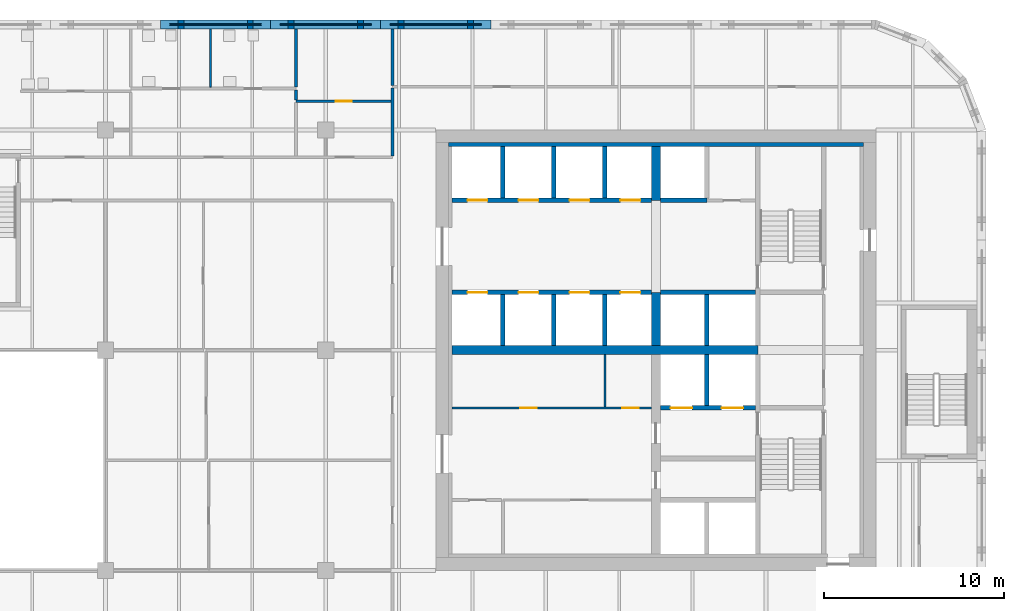
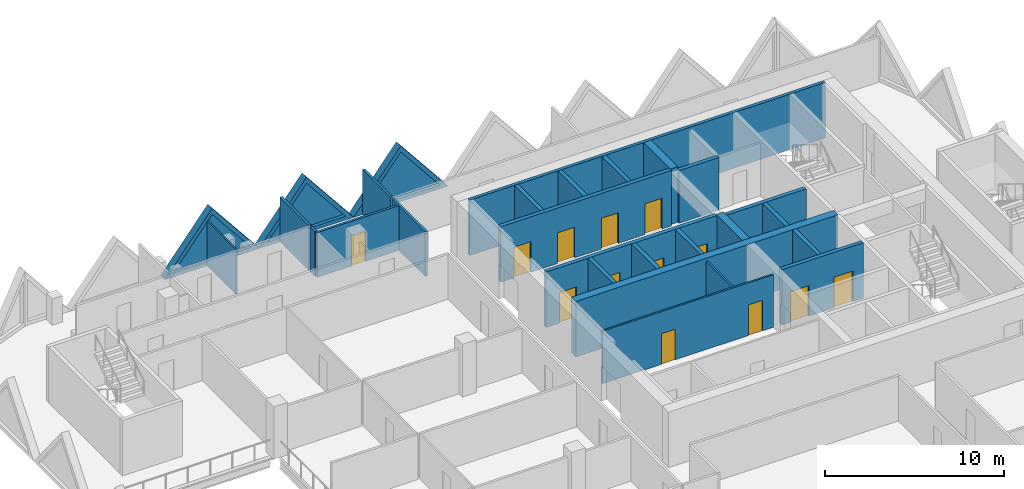
# One storey, part 9 of 17: 28 walls, 13 doors, 3 plates, 16 openings.
"""IFC4 building model written with IfcOpenShell, lengths in metres."""

import ifcopenshell
import ifcopenshell.guid

model = None  # the IFC model being written
_history = None  # IfcOwnerHistory: only IFC2X3 demands one
_inside = {}  # id of a spatial element -> (the spatial element, [elements in it])
_under = {}  # id of a project, library or spatial element -> (it, [spatial elements below it])
_declared = {}  # id of a project -> (the project, [libraries it declares])
_typed = {}  # id of a type object -> (the type object, [elements of that type])
_made_of = {}  # id of a material, layer set ... -> (it, [elements and type objects made of it])


def new_model(schema):
    """Start an empty IFC model of exactly this schema.

    Asked for "IFC4X3", IfcOpenShell would pick the latest addendum, in which some entities
    have other attributes; the version numbers below select the first issue.
    IFC2X3 requires an IfcOwnerHistory on every rooted entity: one is made here for all.
    """
    global model, _history
    if schema == "IFC4X3":
        model = ifcopenshell.file(schema_version=(4, 3, 0, 0))
    else:
        model = ifcopenshell.file(schema=schema)
    _inside.clear()
    _under.clear()
    _declared.clear()
    _typed.clear()
    _made_of.clear()
    _history = None
    if model.schema == "IFC2X3":
        org = make("IfcOrganization", Name="unknown")
        user = make(
            "IfcPersonAndOrganization",
            ThePerson=make("IfcPerson", FamilyName="unknown"),
            TheOrganization=org,
        )
        app = make(
            "IfcApplication",
            ApplicationDeveloper=org,
            Version="unknown",
            ApplicationFullName="unknown",
            ApplicationIdentifier="unknown",
        )
        _history = make(
            "IfcOwnerHistory",
            OwningUser=user,
            OwningApplication=app,
            ChangeAction="ADDED",
            CreationDate=0,
        )
    return model


def make(cls, **values):
    """One entity of the class cls with the attributes given. An attribute that is None is left unset."""
    return model.create_entity(
        cls, **{name: value for name, value in values.items() if value is not None}
    )


def rooted(cls, **values):
    """An entity with a GlobalId (a new one), such as an element, a storey or a relation."""
    return make(cls, GlobalId=ifcopenshell.guid.new(), OwnerHistory=_history, **values)


def si_unit(unit_type, name, prefix=None):
    """IfcSIUnit, for example si_unit("LENGTHUNIT", "METRE", prefix="MILLI")."""
    return make("IfcSIUnit", UnitType=unit_type, Prefix=prefix, Name=name)


def assignment(units):
    """IfcUnitAssignment: the units of a project."""
    return None if units is None else make("IfcUnitAssignment", Units=units)


def point(xyz):
    """IfcCartesianPoint."""
    return None if xyz is None else make("IfcCartesianPoint", Coordinates=xyz)


def direction(xyz):
    """IfcDirection."""
    return None if xyz is None else make("IfcDirection", DirectionRatios=xyz)


def frame(location, z_axis=None, x_axis=None):
    """IfcAxis2Placement3D, a coordinate frame: its origin and axes. An axis left out is left unset."""
    return make(
        "IfcAxis2Placement3D",
        Location=point(location),
        Axis=direction(z_axis),
        RefDirection=direction(x_axis),
    )


def frame_2d(location, x_axis=None):
    """IfcAxis2Placement2D, a coordinate frame in the plane: its origin and x axis."""
    return make(
        "IfcAxis2Placement2D", Location=point(location), RefDirection=direction(x_axis)
    )


def origin():
    """The frame at (0, 0, 0) with its axes left unset."""
    return frame((0.0, 0.0, 0.0))


def place(relative_to, where):
    """IfcLocalPlacement: puts the frame where relative to a parent placement (None: the world)."""
    return make(
        "IfcLocalPlacement", PlacementRelTo=relative_to, RelativePlacement=where
    )


def context(
    kind, dimensions, precision=None, world=None, true_north=None, identifier=None
):
    """IfcGeometricRepresentationContext, for example the 3D "Model" context."""
    return make(
        "IfcGeometricRepresentationContext",
        ContextIdentifier=identifier,
        ContextType=kind,
        CoordinateSpaceDimension=dimensions,
        Precision=precision,
        WorldCoordinateSystem=world,
        TrueNorth=true_north,
    )


def subcontext(parent, identifier, kind, view, scale=None):
    """IfcGeometricRepresentationSubContext, for example "Body" below "Model"."""
    return make(
        "IfcGeometricRepresentationSubContext",
        ContextIdentifier=identifier,
        ContextType=kind,
        ParentContext=parent,
        TargetScale=scale,
        TargetView=view,
    )


def project(units=None, contexts=None):
    """IfcProject with its units and contexts."""
    return rooted(
        "IfcProject",
        Name="project",
        RepresentationContexts=contexts,
        UnitsInContext=assignment(units),
    )


def spatial(cls, under=None, at=None, **own):
    """A site, building, storey or space (cls), placed at a placement, below another one or the project."""
    s = rooted(cls, ObjectPlacement=at, **own)
    if under is not None:
        _under.setdefault(under.id(), (under, []))[1].append(s)
    return s


def polyline(points):
    """IfcPolyline through the points."""
    return make("IfcPolyline", Points=[point(p) for p in points])


def profile(cls, at=None, kind="AREA", **sizes):
    """A parametric profile (cls). Its sizes go by their IFC names, for example OverallWidth=200.0."""
    return make(cls, ProfileType=kind, Position=at, **sizes)


def rectangle(**sizes):
    """IfcRectangleProfileDef."""
    return profile("IfcRectangleProfileDef", **sizes)


def outline(outer, holes=None, kind="AREA"):
    """IfcArbitraryClosedProfileDef: a profile drawn as a closed curve; with holes, ...WithVoids."""
    if holes is None:
        return make("IfcArbitraryClosedProfileDef", ProfileType=kind, OuterCurve=outer)
    return make(
        "IfcArbitraryProfileDefWithVoids",
        ProfileType=kind,
        OuterCurve=outer,
        InnerCurves=holes,
    )


def extrude(swept, where, along, depth):
    """IfcExtrudedAreaSolid: the profile swept, set in the frame where, extruded along a direction by depth."""
    return make(
        "IfcExtrudedAreaSolid",
        SweptArea=swept,
        Position=where,
        ExtrudedDirection=direction(along),
        Depth=depth,
    )


def faces_of(points, faces, orient=None, outer=None):
    """IfcFace entities. A face is a list of loops; a loop is a list of indices into points, from 0.

    orient and outer hold one flag for each loop. By default every Orientation is true, the
    first loop of a face is its IfcFaceOuterBound and the others are IfcFaceBound.
    """
    made = []
    for i, loops in enumerate(faces):
        bounds = []
        for j, loop in enumerate(loops):
            is_outer = j == 0 if outer is None else outer[i][j]
            bounds.append(
                make(
                    "IfcFaceOuterBound" if is_outer else "IfcFaceBound",
                    Bound=make("IfcPolyLoop", Polygon=[points[k] for k in loop]),
                    Orientation=True if orient is None else orient[i][j],
                )
            )
        made.append(make("IfcFace", Bounds=bounds))
    return made


def faceted_brep(points, faces, orient=None, outer=None, voids=None):
    """IfcFacetedBrep: a solid bounded by flat faces; with voids (closed shells), ...WithVoids."""
    shared = [point(p) for p in points]
    hull = make("IfcClosedShell", CfsFaces=faces_of(shared, faces, orient, outer))
    if voids is None:
        return make("IfcFacetedBrep", Outer=hull)
    return make(
        "IfcFacetedBrepWithVoids",
        Outer=hull,
        Voids=[
            make(cls, CfsFaces=faces_of(shared, fs, o, b)) for cls, fs, o, b in voids
        ],
    )


def shape(context_of_items, identifier, shape_type, items):
    """IfcShapeRepresentation: the items that make up one representation, for example the "Body"."""
    return make(
        "IfcShapeRepresentation",
        ContextOfItems=context_of_items,
        RepresentationIdentifier=identifier,
        RepresentationType=shape_type,
        Items=items,
    )


def source(mapping_origin, context_of_items, identifier, shape_type, items):
    """IfcRepresentationMap: a shape defined once, which mapped items show again and again."""
    return make(
        "IfcRepresentationMap",
        MappingOrigin=mapping_origin,
        MappedRepresentation=shape(context_of_items, identifier, shape_type, items),
    )


def transform(
    local_origin,
    x_axis=None,
    y_axis=None,
    z_axis=None,
    scale=None,
    scale2=None,
    scale3=None,
    uniform=True,
):
    """IfcCartesianTransformationOperator3D, or its non-uniform kind. x_axis, y_axis, z_axis: its Axis1, 2, 3."""
    if uniform:
        return make(
            "IfcCartesianTransformationOperator3D",
            Axis1=direction(x_axis),
            Axis2=direction(y_axis),
            LocalOrigin=point(local_origin),
            Scale=scale,
            Axis3=direction(z_axis),
        )
    return make(
        "IfcCartesianTransformationOperator3DnonUniform",
        Axis1=direction(x_axis),
        Axis2=direction(y_axis),
        LocalOrigin=point(local_origin),
        Scale=scale,
        Axis3=direction(z_axis),
        Scale2=scale2,
        Scale3=scale3,
    )


def mapped(mapping_source, mapping_target):
    """IfcMappedItem: shows the shape of a source again, moved by a transform."""
    return make(
        "IfcMappedItem", MappingSource=mapping_source, MappingTarget=mapping_target
    )


def material(Name=None, Category=None):
    """IfcMaterial."""
    return make("IfcMaterial", Name=Name, Category=Category)


def layer(
    of_material, thickness, ventilated=None, Name=None, Category=None, Priority=None
):
    """IfcMaterialLayer: one layer of a wall or slab, of a material (None: an air gap)."""
    return make(
        "IfcMaterialLayer",
        Material=of_material,
        LayerThickness=thickness,
        IsVentilated=ventilated,
        Name=Name,
        Category=Category,
        Priority=Priority,
    )


def layer_set(layers, Name=None):
    """IfcMaterialLayerSet."""
    return make("IfcMaterialLayerSet", MaterialLayers=layers, LayerSetName=Name)


def made_of(thing, what):
    """Note that an element or type object is made of a material, layer set ...; save() writes the relation."""
    if what is not None:
        _made_of.setdefault(what.id(), (what, []))[1].append(thing)
    return thing


def type_object(cls, material=None, **own):
    """A type object (cls), such as IfcWallType, which elements share."""
    return made_of(rooted(cls, **own), material)


def element(
    cls,
    number,
    at=None,
    inside=None,
    cuts=None,
    type_object=None,
    material=None,
    context=None,
    identifier="Body",
    shape_type=None,
    held_by="IfcProductDefinitionShape",
    body=None,
    shapes=None,
    **own,
):
    """One element of the class cls, such as IfcWall. Its Tag is "e" and its number.

    at: its placement. inside: the storey or other place that contains it. cuts: it is an
    opening in that element (IfcRelVoidsElement). A single representation is given by context,
    identifier, shape_type and body (its items); several are given by shapes. held_by: the class
    of the entity that holds the representations. save() writes the other relations.
    """
    e = rooted(cls, Tag="e%d" % number, ObjectPlacement=at, **own)
    if body is not None:
        shapes = [shape(context, identifier, shape_type, body)]
    if shapes is not None:
        e.Representation = make(held_by, Representations=shapes)
    if inside is not None:
        _inside.setdefault(inside.id(), (inside, []))[1].append(e)
    if cuts is not None:
        rooted(
            "IfcRelVoidsElement", RelatingBuildingElement=cuts, RelatedOpeningElement=e
        )
    if type_object is not None:
        _typed.setdefault(type_object.id(), (type_object, []))[1].append(e)
    return made_of(e, material)


def fill(opening, filler):
    """IfcRelFillsElement: the door or window that sits in an opening."""
    return rooted(
        "IfcRelFillsElement",
        RelatingOpeningElement=opening,
        RelatedBuildingElement=filler,
    )


def aggregate(whole, parts):
    """IfcRelAggregates: a whole, such as a stair, and the parts it consists of."""
    return rooted("IfcRelAggregates", RelatingObject=whole, RelatedObjects=parts)


def save(model, path):
    """Write the relations noted so far, then the file.

    IfcRelAggregates (storeys below a building ...), IfcRelContainedInSpatialStructure (elements
    in a storey), IfcRelDefinesByType, IfcRelAssociatesMaterial and IfcRelDeclares: one each for
    every whole, place, type object, material and project.
    """
    for whole, parts in _under.values():
        aggregate(whole, parts)
    for where, things in _inside.values():
        rooted(
            "IfcRelContainedInSpatialStructure",
            RelatedElements=things,
            RelatingStructure=where,
        )
    for kind, things in _typed.values():
        rooted("IfcRelDefinesByType", RelatedObjects=things, RelatingType=kind)
    for what, things in _made_of.values():
        rooted("IfcRelAssociatesMaterial", RelatedObjects=things, RelatingMaterial=what)
    for by, libraries in _declared.values():
        rooted("IfcRelDeclares", RelatingContext=by, RelatedDefinitions=libraries)
    model.write(path)


model = new_model("IFC4")

# Units and contexts
model_context = context("Model", 3, precision=1e-05, world=origin(), true_north=direction((0.0, 1.0)))
body_context = subcontext(model_context, "Body", "Model", "MODEL_VIEW")
ifc_project = project(units=[si_unit("LENGTHUNIT", "METRE"), si_unit("AREAUNIT", "SQUARE_METRE"), si_unit("VOLUMEUNIT", "CUBIC_METRE"), si_unit("PLANEANGLEUNIT", "RADIAN"), si_unit("MASSUNIT", "GRAM", prefix="KILO")], contexts=[model_context])

# Site, building, storey
site_placement = place(None, origin())
site = spatial("IfcSite", under=ifc_project, at=site_placement, CompositionType="ELEMENT")
building_placement = place(site_placement, origin())
building = spatial("IfcBuilding", under=site, at=building_placement, Name="Tessera Gate Towers", CompositionType="ELEMENT")
storey_placement = place(building_placement, frame((0.0, 0.0, 112.60009765625)))
storey = spatial("IfcBuildingStorey", under=building, at=storey_placement, Name="L27", CompositionType="ELEMENT", Elevation=112.60009765625)

# Wall, openings, doors
ifc_material_1 = material(Name="Concrete C40/50", Category="concrete")
ifc_layer_1 = layer(ifc_material_1, 0.25)
ifc_layer_set_1 = layer_set([ifc_layer_1], Name="CORE ENCLOSURE WALL 250")
wall_type_1 = type_object("IfcWallType", Name="CORE ENCLOSURE WALL 250", PredefinedType="SOLIDWALL", material=ifc_layer_set_1)
wall_1_placement = place(storey_placement, frame((31.39990234375, 39.800048828125, 0.0), z_axis=(0.0, 0.0, 1.0), x_axis=(1.0, 0.0, 0.0)))
wall_1 = element("IfcWall", 1, at=wall_1_placement, inside=storey, type_object=wall_type_1, Name="L27 shaft and stair enclosure wall", PredefinedType="SOLIDWALL", context=body_context, shape_type="SweptSolid", body=[
    extrude(rectangle(XDim=11.050048828125, YDim=0.25, at=frame_2d((5.52490234375, 0.0))), origin(), (0.0, 0.0, 1.0), 3.7998046875),
])
shared_shape_1 = source(origin(), body_context, "Body", "SweptSolid", [
    extrude(rectangle(XDim=1.10009765625, YDim=2.10009765625, at=frame_2d((0.550048828125, 1.050048828125))), frame((0.0, 0.135009765625, 0.0), z_axis=(0.0, -1.0, 0.0), x_axis=(1.0, 0.0, 0.0)), (0.0, 0.0, 1.0), 0.27001953125),
])
opening_1_placement = place(wall_1_placement, frame((0.862548828125, 0.0, 0.0)))
opening_1 = element("IfcOpeningElement", 2, at=opening_1_placement, cuts=wall_1, Name="Opening LD-HR1", PredefinedType="OPENING", context=body_context, shape_type="MappedRepresentation", body=[
    mapped(shared_shape_1, transform((0.0, 0.0, 0.0), scale=1.0)),
])
opening_2_placement = place(wall_1_placement, frame((3.6875, 0.0, 0.0)))
opening_2 = element("IfcOpeningElement", 3, at=opening_2_placement, cuts=wall_1, Name="Opening LD-HR2", PredefinedType="OPENING", context=body_context, shape_type="MappedRepresentation", body=[
    mapped(shared_shape_1, transform((0.0, 0.0, 0.0), scale=1.0)),
])
opening_3_placement = place(wall_1_placement, frame((6.512451171875, 0.0, 0.0)))
opening_3 = element("IfcOpeningElement", 4, at=opening_3_placement, cuts=wall_1, Name="Opening LD-HR3", PredefinedType="OPENING", context=body_context, shape_type="MappedRepresentation", body=[
    mapped(shared_shape_1, transform((0.0, 0.0, 0.0), scale=1.0)),
])
opening_4_placement = place(wall_1_placement, frame((9.33740234375, 0.0, 0.0)))
opening_4 = element("IfcOpeningElement", 5, at=opening_4_placement, cuts=wall_1, Name="Opening LD-HR4", PredefinedType="OPENING", context=body_context, shape_type="MappedRepresentation", body=[
    mapped(shared_shape_1, transform((0.0, 0.0, 0.0), scale=1.0)),
])
ifc_material_2 = material(Name="Stainless steel", Category="steel")
door_type_1 = type_object("IfcDoorType", Name="CORE DOOR LD 1100x2100", OperationType="DOUBLE_DOOR_SLIDING", PredefinedType="DOOR", material=ifc_material_2)
shared_shape_2 = source(origin(), body_context, "Body", "SweptSolid", [
    extrude(rectangle(XDim=1.10009765625, YDim=2.10009765625, at=frame_2d((0.550048828125, 1.050048828125))), frame((0.0, 0.02490234375, 0.0), z_axis=(0.0, -1.0, 0.0), x_axis=(1.0, 0.0, 0.0)), (0.0, 0.0, 1.0), 0.050048828125),
])
door_1_placement = place(opening_1_placement, origin())
door_1 = element("IfcDoor", 6, at=door_1_placement, inside=storey, type_object=door_type_1, Name="Landing door HR1 L27", OperationType="DOUBLE_DOOR_SLIDING", OverallHeight=2.10009765625, OverallWidth=1.10009765625, PredefinedType="DOOR", context=body_context, shape_type="MappedRepresentation", body=[
    mapped(shared_shape_2, transform((0.0, 0.0, 0.0), scale=1.0)),
])
fill(opening_1, door_1)
door_2_placement = place(opening_2_placement, origin())
door_2 = element("IfcDoor", 7, at=door_2_placement, inside=storey, type_object=door_type_1, Name="Landing door HR2 L27", OperationType="DOUBLE_DOOR_SLIDING", OverallHeight=2.10009765625, OverallWidth=1.10009765625, PredefinedType="DOOR", context=body_context, shape_type="MappedRepresentation", body=[
    mapped(shared_shape_2, transform((0.0, 0.0, 0.0), scale=1.0)),
])
fill(opening_2, door_2)
door_3_placement = place(opening_3_placement, origin())
door_3 = element("IfcDoor", 8, at=door_3_placement, inside=storey, type_object=door_type_1, Name="Landing door HR3 L27", OperationType="DOUBLE_DOOR_SLIDING", OverallHeight=2.10009765625, OverallWidth=1.10009765625, PredefinedType="DOOR", context=body_context, shape_type="MappedRepresentation", body=[
    mapped(shared_shape_2, transform((0.0, 0.0, 0.0), scale=1.0)),
])
fill(opening_3, door_3)
door_4_placement = place(opening_4_placement, origin())
door_4 = element("IfcDoor", 9, at=door_4_placement, inside=storey, type_object=door_type_1, Name="Landing door HR4 L27", OperationType="DOUBLE_DOOR_SLIDING", OverallHeight=2.10009765625, OverallWidth=1.10009765625, PredefinedType="DOOR", context=body_context, shape_type="MappedRepresentation", body=[
    mapped(shared_shape_2, transform((0.0, 0.0, 0.0), scale=1.0)),
])
fill(opening_4, door_4)

# Wall
wall_2_placement = place(storey_placement, frame((42.949951171875, 39.800048828125, 0.0), z_axis=(0.0, 0.0, 1.0), x_axis=(1.0, 0.0, 0.0)))
element("IfcWall", 10, at=wall_2_placement, inside=storey, type_object=wall_type_1, Name="L27 shaft and stair enclosure wall", PredefinedType="SOLIDWALL", context=body_context, shape_type="SweptSolid", body=[
    extrude(rectangle(XDim=5.275146484375, YDim=0.25, at=frame_2d((2.6376953125, 0.0))), origin(), (0.0, 0.0, 1.0), 3.599853515625),
])

# Wall, openings, doors
wall_3_placement = place(storey_placement, frame((42.449951171875, 44.89990234375, 0.0), z_axis=(0.0, 0.0, 1.0), x_axis=(-1.0, 0.0, 0.0)))
wall_3 = element("IfcWall", 11, at=wall_3_placement, inside=storey, type_object=wall_type_1, Name="L27 shaft and stair enclosure wall", PredefinedType="SOLIDWALL", context=body_context, shape_type="SweptSolid", body=[
    extrude(rectangle(XDim=11.050048828125, YDim=0.25, at=frame_2d((5.52490234375, 0.0))), origin(), (0.0, 0.0, 1.0), 3.7998046875),
])
opening_5_placement = place(wall_3_placement, frame((9.08740234375, 0.0, 0.0)))
opening_5 = element("IfcOpeningElement", 12, at=opening_5_placement, cuts=wall_3, Name="Opening LD-HR5", PredefinedType="OPENING", context=body_context, shape_type="MappedRepresentation", body=[
    mapped(shared_shape_1, transform((0.0, 0.0, 0.0), scale=1.0)),
])
opening_6_placement = place(wall_3_placement, frame((6.262451171875, 0.0, 0.0)))
opening_6 = element("IfcOpeningElement", 13, at=opening_6_placement, cuts=wall_3, Name="Opening LD-HR6", PredefinedType="OPENING", context=body_context, shape_type="MappedRepresentation", body=[
    mapped(shared_shape_1, transform((0.0, 0.0, 0.0), scale=1.0)),
])
opening_7_placement = place(wall_3_placement, frame((3.4375, 0.0, 0.0)))
opening_7 = element("IfcOpeningElement", 14, at=opening_7_placement, cuts=wall_3, Name="Opening LD-HR7", PredefinedType="OPENING", context=body_context, shape_type="MappedRepresentation", body=[
    mapped(shared_shape_1, transform((0.0, 0.0, 0.0), scale=1.0)),
])
opening_8_placement = place(wall_3_placement, frame((0.612548828125, 0.0, 0.0)))
opening_8 = element("IfcOpeningElement", 15, at=opening_8_placement, cuts=wall_3, Name="Opening LD-HR8", PredefinedType="OPENING", context=body_context, shape_type="MappedRepresentation", body=[
    mapped(shared_shape_1, transform((0.0, 0.0, 0.0), scale=1.0)),
])
door_5_placement = place(opening_5_placement, origin())
door_5 = element("IfcDoor", 16, at=door_5_placement, inside=storey, type_object=door_type_1, Name="Landing door HR5 L27", OperationType="DOUBLE_DOOR_SLIDING", OverallHeight=2.10009765625, OverallWidth=1.10009765625, PredefinedType="DOOR", context=body_context, shape_type="MappedRepresentation", body=[
    mapped(shared_shape_2, transform((0.0, 0.0, 0.0), scale=1.0)),
])
fill(opening_5, door_5)
door_6_placement = place(opening_6_placement, origin())
door_6 = element("IfcDoor", 17, at=door_6_placement, inside=storey, type_object=door_type_1, Name="Landing door HR6 L27", OperationType="DOUBLE_DOOR_SLIDING", OverallHeight=2.10009765625, OverallWidth=1.10009765625, PredefinedType="DOOR", context=body_context, shape_type="MappedRepresentation", body=[
    mapped(shared_shape_2, transform((0.0, 0.0, 0.0), scale=1.0)),
])
fill(opening_6, door_6)
door_7_placement = place(opening_7_placement, origin())
door_7 = element("IfcDoor", 18, at=door_7_placement, inside=storey, type_object=door_type_1, Name="Landing door HR7 L27", OperationType="DOUBLE_DOOR_SLIDING", OverallHeight=2.10009765625, OverallWidth=1.10009765625, PredefinedType="DOOR", context=body_context, shape_type="MappedRepresentation", body=[
    mapped(shared_shape_2, transform((0.0, 0.0, 0.0), scale=1.0)),
])
fill(opening_7, door_7)
door_8_placement = place(opening_8_placement, origin())
door_8 = element("IfcDoor", 19, at=door_8_placement, inside=storey, type_object=door_type_1, Name="Landing door HR8 L27", OperationType="DOUBLE_DOOR_SLIDING", OverallHeight=2.10009765625, OverallWidth=1.10009765625, PredefinedType="DOOR", context=body_context, shape_type="MappedRepresentation", body=[
    mapped(shared_shape_2, transform((0.0, 0.0, 0.0), scale=1.0)),
])
fill(opening_8, door_8)

# Wall
wall_4_placement = place(storey_placement, frame((42.949951171875, 44.89990234375, 0.0), z_axis=(0.0, 0.0, 1.0), x_axis=(1.0, 0.0, 0.0)))
element("IfcWall", 20, at=wall_4_placement, inside=storey, type_object=wall_type_1, Name="L27 shaft and stair enclosure wall", PredefinedType="SOLIDWALL", context=body_context, shape_type="SweptSolid", body=[
    extrude(rectangle(XDim=2.574951171875, YDim=0.25, at=frame_2d((1.28759765625, 0.0))), origin(), (0.0, 0.0, 1.0), 3.599853515625),
])

# Wall, openings, doors
wall_5_placement = place(storey_placement, frame((48.22509765625, 33.39990234375, 0.0), z_axis=(0.0, 0.0, 1.0), x_axis=(-1.0, 0.0, 0.0)))
wall_5 = element("IfcWall", 21, at=wall_5_placement, inside=storey, type_object=wall_type_1, Name="L27 shaft and stair enclosure wall", PredefinedType="SOLIDWALL", context=body_context, shape_type="SweptSolid", body=[
    extrude(rectangle(XDim=5.275146484375, YDim=0.25, at=frame_2d((2.6376953125, 0.0))), origin(), (0.0, 0.0, 1.0), 3.7998046875),
])
shared_shape_3 = source(origin(), body_context, "Body", "SweptSolid", [
    extrude(rectangle(XDim=1.199951171875, YDim=2.10009765625, at=frame_2d((0.60009765625, 1.050048828125))), frame((0.0, 0.135009765625, 0.0), z_axis=(0.0, -1.0, 0.0), x_axis=(1.0, 0.0, 0.0)), (0.0, 0.0, 1.0), 0.27001953125),
])
opening_9_placement = place(wall_5_placement, frame((3.512451171875, 0.0, 0.0)))
opening_9 = element("IfcOpeningElement", 22, at=opening_9_placement, cuts=wall_5, Name="Opening LD-FF1", PredefinedType="OPENING", context=body_context, shape_type="MappedRepresentation", body=[
    mapped(shared_shape_3, transform((0.0, 0.0, 0.0), scale=1.0)),
])
opening_10_placement = place(wall_5_placement, frame((0.6875, 0.0, 0.0)))
opening_10 = element("IfcOpeningElement", 23, at=opening_10_placement, cuts=wall_5, Name="Opening LD-FF2", PredefinedType="OPENING", context=body_context, shape_type="MappedRepresentation", body=[
    mapped(shared_shape_3, transform((0.0, 0.0, 0.0), scale=1.0)),
])
ifc_material_3 = material(Name="Stainless steel", Category="steel")
door_type_2 = type_object("IfcDoorType", Name="CORE DOOR LD1200 1200x2100", OperationType="DOUBLE_DOOR_SLIDING", PredefinedType="DOOR", material=ifc_material_3)
shared_shape_4 = source(origin(), body_context, "Body", "SweptSolid", [
    extrude(rectangle(XDim=1.199951171875, YDim=2.10009765625, at=frame_2d((0.60009765625, 1.050048828125))), frame((0.0, 0.02490234375, 0.0), z_axis=(0.0, -1.0, 0.0), x_axis=(1.0, 0.0, 0.0)), (0.0, 0.0, 1.0), 0.050048828125),
])
door_9_placement = place(opening_9_placement, origin())
door_9 = element("IfcDoor", 24, at=door_9_placement, inside=storey, type_object=door_type_2, Name="Landing door FF1 L27", OperationType="DOUBLE_DOOR_SLIDING", OverallHeight=2.10009765625, OverallWidth=1.199951171875, PredefinedType="DOOR", context=body_context, shape_type="MappedRepresentation", body=[
    mapped(shared_shape_4, transform((0.0, 0.0, 0.0), scale=1.0)),
])
fill(opening_9, door_9)
door_10_placement = place(opening_10_placement, origin())
door_10 = element("IfcDoor", 25, at=door_10_placement, inside=storey, type_object=door_type_2, Name="Landing door FF2 L27", OperationType="DOUBLE_DOOR_SLIDING", OverallHeight=2.10009765625, OverallWidth=1.199951171875, PredefinedType="DOOR", context=body_context, shape_type="MappedRepresentation", body=[
    mapped(shared_shape_4, transform((0.0, 0.0, 0.0), scale=1.0)),
])
fill(opening_10, door_10)

# Walls
wall_6_placement = place(storey_placement, frame((45.52490234375, 33.52490234375, 0.0), z_axis=(0.0, 0.0, 1.0), x_axis=(0.0, 1.0, 0.0)))
element("IfcWall", 26, at=wall_6_placement, inside=storey, type_object=wall_type_1, Name="L27 shaft and stair enclosure wall", PredefinedType="SOLIDWALL", context=body_context, shape_type="SweptSolid", body=[
    extrude(rectangle(XDim=2.8251953125, YDim=0.25, at=frame_2d((1.41259765625, 0.0))), origin(), (0.0, 0.0, 1.0), 3.7998046875),
])
wall_7_placement = place(storey_placement, frame((45.52490234375, 36.85009765625, 0.0), z_axis=(0.0, 0.0, 1.0), x_axis=(0.0, 1.0, 0.0)))
element("IfcWall", 27, at=wall_7_placement, inside=storey, type_object=wall_type_1, Name="L27 shaft and stair enclosure wall", PredefinedType="SOLIDWALL", context=body_context, shape_type="SweptSolid", body=[
    extrude(rectangle(XDim=2.824951171875, YDim=0.25, at=frame_2d((1.41259765625, 0.0))), origin(), (0.0, 0.0, 1.0), 3.599853515625),
])
for number, where, z_axis, x_axis, name in (
    (28, (34.22509765625, 36.85009765625, 0.0), (0.0, 0.0, 1.0), (0.0, 1.0, 0.0), "L27 shaft and stair enclosure wall"),
    (29, (37.050048828125, 36.85009765625, 0.0), (0.0, 0.0, 1.0), (0.0, 1.0, 0.0), "L27 shaft and stair enclosure wall"),
    (30, (39.875, 36.85009765625, 0.0), (0.0, 0.0, 1.0), (0.0, 1.0, 0.0), "L27 shaft and stair enclosure wall"),
):
    element("IfcWall", number, at=place(storey_placement, frame(where, z_axis=z_axis, x_axis=x_axis)), inside=storey, type_object=wall_type_1, Name=name, PredefinedType="SOLIDWALL", context=body_context, shape_type="SweptSolid", body=[
        extrude(rectangle(XDim=2.824951171875, YDim=0.25, at=frame_2d((1.41259765625, 0.0))), origin(), (0.0, 0.0, 1.0), 3.7998046875),
    ])
for number, where, z_axis, x_axis, name in (
    (31, (34.22509765625, 45.02490234375, 0.0), (0.0, 0.0, 1.0), (0.0, 1.0, 0.0), "L27 shaft and stair enclosure wall"),
    (32, (37.050048828125, 45.02490234375, 0.0), (0.0, 0.0, 1.0), (0.0, 1.0, 0.0), "L27 shaft and stair enclosure wall"),
    (33, (39.875, 45.02490234375, 0.0), (0.0, 0.0, 1.0), (0.0, 1.0, 0.0), "L27 shaft and stair enclosure wall"),
):
    element("IfcWall", number, at=place(storey_placement, frame(where, z_axis=z_axis, x_axis=x_axis)), inside=storey, type_object=wall_type_1, Name=name, PredefinedType="SOLIDWALL", context=body_context, shape_type="SweptSolid", body=[
        extrude(rectangle(XDim=2.875, YDim=0.25, at=frame_2d((1.4375, 0.0))), origin(), (0.0, 0.0, 1.0), 3.7998046875),
    ])

# Wall, openings, doors
ifc_material_4 = material(Name="Gypsum board on steel studs", Category="steel")
ifc_layer_2 = layer(ifc_material_4, 0.1201171875)
ifc_layer_set_2 = layer_set([ifc_layer_2], Name="CORE PARTITION 120")
wall_type_2 = type_object("IfcWallType", Name="CORE PARTITION 120", PredefinedType="PARTITIONING", material=ifc_layer_set_2)
wall_8_placement = place(storey_placement, frame((31.39990234375, 33.39990234375, 0.0), z_axis=(0.0, 0.0, 1.0), x_axis=(1.0, 0.0, 0.0)))
wall_8 = element("IfcWall", 34, at=wall_8_placement, inside=storey, type_object=wall_type_2, Name="L27 core partition", PredefinedType="PARTITIONING", context=body_context, shape_type="SweptSolid", body=[
    extrude(rectangle(XDim=11.050048828125, YDim=0.1201171875, at=frame_2d((5.52490234375, 0.0))), origin(), (0.0, 0.0, 1.0), 3.599853515625),
])
shared_shape_5 = source(origin(), body_context, "Body", "SweptSolid", [
    extrude(rectangle(XDim=0.89990234375, YDim=2.10009765625, at=frame_2d((0.449951171875, 1.050048828125))), frame((0.0, 0.070068359375, 0.0), z_axis=(0.0, -1.0, 0.0), x_axis=(1.0, 0.0, 0.0)), (0.0, 0.0, 1.0), 0.14013671875),
])
opening_11_placement = place(wall_8_placement, frame((3.78759765625, 0.0, 0.0)))
opening_11 = element("IfcOpeningElement", 35, at=opening_11_placement, cuts=wall_8, Name="Opening RD-T1-19-07", PredefinedType="OPENING", context=body_context, shape_type="MappedRepresentation", body=[
    mapped(shared_shape_5, transform((0.0, 0.0, 0.0), scale=1.0)),
])
opening_12_placement = place(wall_8_placement, frame((9.4375, 0.0, 0.0)))
opening_12 = element("IfcOpeningElement", 36, at=opening_12_placement, cuts=wall_8, Name="Opening RD-T1-19-08", PredefinedType="OPENING", context=body_context, shape_type="MappedRepresentation", body=[
    mapped(shared_shape_5, transform((0.0, 0.0, 0.0), scale=1.0)),
])
ifc_material_5 = material(Name="Hollow steel fire door", Category="steel")
door_type_3 = type_object("IfcDoorType", Name="CORE DOOR RD 900x2100", OperationType="NOTDEFINED", PredefinedType="DOOR", material=ifc_material_5)
shared_shape_6 = source(origin(), body_context, "Body", "SweptSolid", [
    extrude(rectangle(XDim=0.89990234375, YDim=2.10009765625, at=frame_2d((0.449951171875, 1.050048828125))), frame((0.0, 0.02490234375, 0.0), z_axis=(0.0, -1.0, 0.0), x_axis=(1.0, 0.0, 0.0)), (0.0, 0.0, 1.0), 0.050048828125),
])
door_11_placement = place(opening_11_placement, origin())
door_11 = element("IfcDoor", 37, at=door_11_placement, inside=storey, type_object=door_type_3, Name="Core room door", OperationType="SINGLE_SWING_LEFT", OverallHeight=2.10009765625, OverallWidth=0.89990234375, PredefinedType="DOOR", context=body_context, shape_type="MappedRepresentation", body=[
    mapped(shared_shape_6, transform((0.0, 0.0, 0.0), scale=1.0)),
])
fill(opening_11, door_11)
door_12_placement = place(opening_12_placement, origin())
door_12 = element("IfcDoor", 38, at=door_12_placement, inside=storey, type_object=door_type_3, Name="Core room door", OperationType="SINGLE_SWING_RIGHT", OverallHeight=2.10009765625, OverallWidth=0.89990234375, PredefinedType="DOOR", context=body_context, shape_type="MappedRepresentation", body=[
    mapped(shared_shape_6, transform((0.0, 0.0, 0.0), scale=1.0)),
])
fill(opening_12, door_12)

# Walls
wall_9_placement = place(storey_placement, frame((39.875, 33.4599609375, 0.0), z_axis=(0.0, 0.0, 1.0), x_axis=(0.0, 1.0, 0.0)))
element("IfcWall", 39, at=wall_9_placement, inside=storey, type_object=wall_type_2, Name="L27 core partition", PredefinedType="PARTITIONING", context=body_context, shape_type="SweptSolid", body=[
    extrude(rectangle(XDim=2.89013671875, YDim=0.1201171875, at=frame_2d((1.445068359375, 0.0))), origin(), (0.0, 0.0, 1.0), 3.599853515625),
])
ifc_material_6 = material(Name="Concrete C60/75", Category="concrete")
ifc_layer_3 = layer(ifc_material_6, 0.5)
ifc_layer_set_3 = layer_set([ifc_layer_3], Name="CORE SPINE WALL 500 C60/75")
wall_type_3 = type_object("IfcWallType", Name="CORE SPINE WALL 500 C60/75", PredefinedType="SHEAR", material=ifc_layer_set_3)
wall_10_placement = place(storey_placement, frame((31.39990234375, 36.60009765625, 0.0), z_axis=(0.0, 0.0, 1.0), x_axis=(1.0, 0.0, 0.0)))
element("IfcWall", 40, at=wall_10_placement, inside=storey, type_object=wall_type_3, Name="Core wall spine L27", PredefinedType="SHEAR", context=body_context, shape_type="SweptSolid", body=[
    extrude(rectangle(XDim=16.9501953125, YDim=0.5, at=frame_2d((8.47509765625, 0.0))), origin(), (0.0, 0.0, 1.0), 3.7998046875),
])
wall_11_placement = place(storey_placement, frame((42.699951171875, 36.85009765625, 0.0), z_axis=(0.0, 0.0, 1.0), x_axis=(0.0, 1.0, 0.0)))
element("IfcWall", 41, at=wall_11_placement, inside=storey, type_object=wall_type_3, Name="Core wall spine L27", PredefinedType="SHEAR", context=body_context, shape_type="SweptSolid", body=[
    extrude(rectangle(XDim=2.949951171875, YDim=0.5, at=frame_2d((1.47509765625, 0.0))), origin(), (0.0, 0.0, 1.0), 3.7998046875),
])
wall_12_placement = place(storey_placement, frame((42.699951171875, 44.89990234375, 0.0), z_axis=(0.0, 0.0, 1.0), x_axis=(0.0, 1.0, 0.0)))
element("IfcWall", 42, at=wall_12_placement, inside=storey, type_object=wall_type_3, Name="Core wall spine L27", PredefinedType="SHEAR", context=body_context, shape_type="SweptSolid", body=[
    extrude(rectangle(XDim=3.0, YDim=0.5, at=frame_2d((1.5, 0.0))), origin(), (0.0, 0.0, 1.0), 3.7998046875),
])
ifc_material_7 = material(Name="Concrete C60/75", Category="concrete")
ifc_layer_4 = layer(ifc_material_7, 0.199951171875)
ifc_layer_set_4 = layer_set([ifc_layer_4], Name="CORE WALL THICKENING 200")
wall_type_4 = type_object("IfcWallType", Name="CORE WALL THICKENING 200", PredefinedType="SOLIDWALL", material=ifc_layer_set_4)
wall_13_placement = place(storey_placement, frame((31.199951171875, 48.0, 0.0), z_axis=(0.0, 0.0, 1.0), x_axis=(1.0, 0.0, 0.0)))
element("IfcWall", 43, at=wall_13_placement, inside=storey, type_object=wall_type_4, Name="Core wall thickening N L27", PredefinedType="SOLIDWALL", context=body_context, shape_type="SweptSolid", body=[
    extrude(rectangle(XDim=23.0, YDim=0.199951171875, at=frame_2d((11.5, 0.0))), origin(), (0.0, 0.0, 1.0), 3.7998046875),
])
ifc_material_8 = material(Name="Gypsum board on steel studs, mineral wool", Category="steel")
ifc_layer_5 = layer(ifc_material_8, 0.14990234375)
ifc_layer_set_5 = layer_set([ifc_layer_5], Name="CORRIDOR WALL 150")
wall_type_5 = type_object("IfcWallType", Name="CORRIDOR WALL 150", PredefinedType="PARTITIONING", material=ifc_layer_set_5)
wall_14_placement = place(storey_placement, frame((28.10009765625, 47.3759765625, 0.0), z_axis=(0.0, 0.0, 1.0), x_axis=(0.0, 1.0, 0.0)))
element("IfcWall", 44, at=wall_14_placement, inside=storey, type_object=wall_type_5, Name="T1-L27-PW-045", PredefinedType="PARTITIONING", context=body_context, shape_type="SweptSolid", body=[
    extrude(rectangle(XDim=3.748046875, YDim=0.14990234375, at=frame_2d((1.8740234375, 0.0))), origin(), (0.0, 0.0, 1.0), 3.06689453125),
])
ifc_material_9 = material(Name="Gypsum board on steel studs", Category="steel")
ifc_layer_6 = layer(ifc_material_9, 0.10009765625)
ifc_layer_set_6 = layer_set([ifc_layer_6], Name="PARTITION 100")
wall_type_6 = type_object("IfcWallType", Name="PARTITION 100", PredefinedType="PARTITIONING", material=ifc_layer_set_6)
wall_15_placement = place(storey_placement, frame((18.02001953125, 51.176025390625, 0.0), z_axis=(0.0, 0.0, 1.0), x_axis=(0.0, 1.0, 0.0)))
element("IfcWall", 45, at=wall_15_placement, inside=storey, type_object=wall_type_6, Name="T1-L27-PW-053", PredefinedType="PARTITIONING", context=body_context, shape_type="SweptSolid", body=[
    extrude(rectangle(XDim=3.223876953125, YDim=0.10009765625, at=frame_2d((1.61181640625, 0.0))), origin(), (0.0, 0.0, 1.0), 3.06689453125),
])

# Wall, opening, door
ifc_material_10 = material(Name="Gypsum board on steel studs, mineral wool", Category="steel")
ifc_layer_7 = layer(ifc_material_10, 0.14990234375)
ifc_layer_set_7 = layer_set([ifc_layer_7], Name="TENANCY WALL 150")
wall_type_7 = type_object("IfcWallType", Name="TENANCY WALL 150", PredefinedType="PARTITIONING", material=ifc_layer_set_7)
wall_16_placement = place(storey_placement, frame((22.75, 50.39990234375, 0.0), z_axis=(0.0, 0.0, 1.0), x_axis=(1.0, 0.0, 0.0)))
wall_16 = element("IfcWall", 46, at=wall_16_placement, inside=storey, type_object=wall_type_7, Name="T1-L27-PW-048", PredefinedType="PARTITIONING", context=body_context, shape_type="SweptSolid", body=[
    extrude(rectangle(XDim=5.27392578125, YDim=0.14990234375, at=frame_2d((2.636962890625, 0.0))), origin(), (0.0, 0.0, 1.0), 3.06689453125),
])
shared_shape_7 = source(origin(), body_context, "Body", "SweptSolid", [
    extrude(rectangle(XDim=0.89990234375, YDim=2.10009765625, at=frame_2d((0.449951171875, 1.050048828125))), frame((0.0, 0.0849609375, 0.0), z_axis=(0.0, -1.0, 0.0), x_axis=(1.0, 0.0, 0.0)), (0.0, 0.0, 1.0), 0.169921875),
])
opening_13_placement = place(wall_16_placement, frame((2.199951171875, 0.0, 0.0)))
opening_13 = element("IfcOpeningElement", 47, at=opening_13_placement, cuts=wall_16, Name="Opening D190-A10-04", PredefinedType="OPENING", context=body_context, shape_type="MappedRepresentation", body=[
    mapped(shared_shape_7, transform((0.0, 0.0, 0.0), scale=1.0)),
])
ifc_material_11 = material(Name="Timber door leaf in steel frame", Category="steel")
door_type_4 = type_object("IfcDoorType", Name="INTERNAL DOOR 900 NOT RATED", OperationType="NOTDEFINED", PredefinedType="DOOR", material=ifc_material_11)
door_13_placement = place(opening_13_placement, origin())
door_13 = element("IfcDoor", 48, at=door_13_placement, inside=storey, type_object=door_type_4, Name="T1-L27-PD-006", OperationType="SINGLE_SWING_LEFT", OverallHeight=2.10009765625, OverallWidth=0.89990234375, PredefinedType="DOOR", context=body_context, shape_type="MappedRepresentation", body=[
    mapped(shared_shape_6, transform((0.0, 0.0, 0.0), scale=1.0)),
])
fill(opening_13, door_13)

# Walls
wall_17_placement = place(storey_placement, frame((22.75, 50.47607421875, 0.0), z_axis=(0.0, 0.0, 1.0), x_axis=(0.0, 1.0, 0.0)))
element("IfcWall", 49, at=wall_17_placement, inside=storey, type_object=wall_type_7, Name="T1-L27-PW-049", PredefinedType="PARTITIONING", context=body_context, shape_type="SweptSolid", body=[
    extrude(rectangle(XDim=0.5478515625, YDim=0.14990234375, at=frame_2d((0.27392578125, 0.0))), origin(), (0.0, 0.0, 1.0), 3.06689453125),
])
wall_18_placement = place(storey_placement, frame((22.75, 51.176025390625, 0.0), z_axis=(0.0, 0.0, 1.0), x_axis=(0.0, 1.0, 0.0)))
element("IfcWall", 50, at=wall_18_placement, inside=storey, type_object=wall_type_7, Name="T1-L27-PW-054", PredefinedType="PARTITIONING", context=body_context, shape_type="SweptSolid", body=[
    extrude(rectangle(XDim=3.223876953125, YDim=0.14990234375, at=frame_2d((1.61181640625, 0.0))), origin(), (0.0, 0.0, 1.0), 3.06689453125),
])
wall_19_placement = place(storey_placement, frame((28.10009765625, 51.27587890625, 0.0), z_axis=(0.0, 0.0, 1.0), x_axis=(0.0, 1.0, 0.0)))
element("IfcWall", 51, at=wall_19_placement, inside=storey, type_object=wall_type_7, Name="T1-L27-PW-056", PredefinedType="PARTITIONING", context=body_context, shape_type="SweptSolid", body=[
    extrude(rectangle(XDim=3.1240234375, YDim=0.14990234375, at=frame_2d((1.56201171875, 0.0))), origin(), (0.0, 0.0, 1.0), 3.06689453125),
])

# Wall, opening, plate
ifc_material_12 = material(Name="Precast concrete C60/75 white", Category="concrete")
ifc_layer_8 = layer(ifc_material_12, 0.5)
ifc_layer_set_8 = layer_set([ifc_layer_8], Name="TS2 half tessera")
wall_type_8 = type_object("IfcWallType", Name="TS2 half tessera", PredefinedType="SOLIDWALL", material=ifc_layer_set_8)
shared_shape_8 = source(origin(), body_context, "Body", "Brep", [
    faceted_brep([(6.099853515625, -0.25, 0.000244140625), (3.050048828125, -0.25, 3.7998046875), (0.0, -0.25, 0.0), (6.099853515625, -0.25, 0.0), (0.0, 0.25, 0.0), (3.050048828125, 0.25, 3.7998046875), (6.099853515625, 0.25, 0.000244140625), (6.099853515625, 0.25, 0.0)], [[[0, 1, 2, 3]], [[4, 5, 6, 7]], [[6, 5, 1, 0]], [[5, 4, 2, 1]], [[4, 7, 3, 2]], [[3, 7, 6, 0]]]),
])
wall_20_placement = place(storey_placement, frame((27.449951171875, 54.64990234375, 0.0), z_axis=(0.0, 0.0, 1.0), x_axis=(-1.0, 0.0, 0.0)))
wall_20 = element("IfcWall", 52, at=wall_20_placement, inside=storey, type_object=wall_type_8, Name="Precast half tessera T1 TS2-0152", PredefinedType="SOLIDWALL", context=body_context, shape_type="MappedRepresentation", body=[
    mapped(shared_shape_8, transform((0.0, 0.0, 0.0), scale=1.0)),
])
shared_shape_9 = source(origin(), body_context, "Body", "SweptSolid", [
    extrude(outline(polyline([(5.578857421875, 0.25), (3.050048828125, 3.400390625), (0.521240234375, 0.25), (5.578857421875, 0.25)])), frame((0.0, 0.260009765625, 0.0), z_axis=(0.0, -1.0, 0.0), x_axis=(1.0, 0.0, 0.0)), (0.0, 0.0, 1.0), 0.52001953125),
])
opening_14_placement = place(wall_20_placement, origin())
opening_14 = element("IfcOpeningElement", 53, at=opening_14_placement, cuts=wall_20, Name="Opening T1-PL1-0306", PredefinedType="OPENING", context=body_context, shape_type="MappedRepresentation", body=[
    mapped(shared_shape_9, transform((0.0, 0.0, 0.0), scale=1.0)),
])
ifc_material_13 = material(Name="Low-e laminated glass", Category="glass")
ifc_layer_9 = layer(ifc_material_13, 0.06005859375)
ifc_layer_set_9 = layer_set([ifc_layer_9], Name="PL1 triangular pane")
plate_type = type_object("IfcPlateType", Name="PL1 triangular pane", PredefinedType="SHEET", material=ifc_layer_set_9)
shared_shape_10 = source(origin(), body_context, "Body", "SweptSolid", [
    extrude(outline(polyline([(5.578857421875, 0.25), (3.050048828125, 3.400390625), (0.521240234375, 0.25), (5.578857421875, 0.25)])), frame((0.0, 0.030029296875, 0.0), z_axis=(0.0, -1.0, 0.0), x_axis=(1.0, 0.0, 0.0)), (0.0, 0.0, 1.0), 0.06005859375),
])
plate_1_placement = place(opening_14_placement, origin())
plate_1 = element("IfcPlate", 54, at=plate_1_placement, inside=storey, type_object=plate_type, Name="Glass pane T1 PL1-0306", PredefinedType="SHEET", context=body_context, shape_type="MappedRepresentation", body=[
    mapped(shared_shape_10, transform((0.0, 0.0, 0.0), scale=1.0)),
])
fill(opening_14, plate_1)

shared_shape_11 = source(origin(), body_context, "Body", "SweptSolid", [
    extrude(outline(polyline([(6.10009765625, 0.0), (3.050048828125, 3.7998046875), (0.0, 0.0), (6.10009765625, 0.0)])), frame((0.0, 0.25, 0.0), z_axis=(0.0, -1.0, 0.0), x_axis=(1.0, 0.0, 0.0)), (0.0, 0.0, 1.0), 0.5),
])
wall_21_placement = place(storey_placement, frame((33.550048828125, 54.64990234375, 0.0), z_axis=(0.0, 0.0, 1.0), x_axis=(-1.0, 0.0, 0.0)))
wall_21 = element("IfcWall", 55, at=wall_21_placement, inside=storey, type_object=wall_type_8, Name="Precast half tessera T1 TS2-0151", PredefinedType="SOLIDWALL", context=body_context, shape_type="MappedRepresentation", body=[
    mapped(shared_shape_11, transform((0.0, 0.0, 0.0), scale=1.0)),
])
opening_15_placement = place(wall_21_placement, origin())
opening_15 = element("IfcOpeningElement", 56, at=opening_15_placement, cuts=wall_21, Name="Opening T1-PL1-0305", PredefinedType="OPENING", context=body_context, shape_type="MappedRepresentation", body=[
    mapped(shared_shape_9, transform((0.0, 0.0, 0.0), scale=1.0)),
])
plate_2_placement = place(opening_15_placement, origin())
plate_2 = element("IfcPlate", 57, at=plate_2_placement, inside=storey, type_object=plate_type, Name="Glass pane T1 PL1-0305", PredefinedType="SHEET", context=body_context, shape_type="MappedRepresentation", body=[
    mapped(shared_shape_10, transform((0.0, 0.0, 0.0), scale=1.0)),
])
fill(opening_15, plate_2)

wall_22_placement = place(storey_placement, frame((21.35009765625, 54.64990234375, 0.0), z_axis=(0.0, 0.0, 1.0), x_axis=(-1.0, 0.0, 0.0)))
wall_22 = element("IfcWall", 58, at=wall_22_placement, inside=storey, type_object=wall_type_8, Name="Precast half tessera T1 TS2-0153", PredefinedType="SOLIDWALL", context=body_context, shape_type="MappedRepresentation", body=[
    mapped(shared_shape_11, transform((0.0, 0.0, 0.0), scale=1.0)),
])
opening_16_placement = place(wall_22_placement, origin())
opening_16 = element("IfcOpeningElement", 59, at=opening_16_placement, cuts=wall_22, Name="Opening T1-PL1-0307", PredefinedType="OPENING", context=body_context, shape_type="MappedRepresentation", body=[
    mapped(shared_shape_9, transform((0.0, 0.0, 0.0), scale=1.0)),
])
plate_3_placement = place(opening_16_placement, origin())
plate_3 = element("IfcPlate", 60, at=plate_3_placement, inside=storey, type_object=plate_type, Name="Glass pane T1 PL1-0307", PredefinedType="SHEET", context=body_context, shape_type="MappedRepresentation", body=[
    mapped(shared_shape_10, transform((0.0, 0.0, 0.0), scale=1.0)),
])
fill(opening_16, plate_3)

save(model, "model.ifc")
